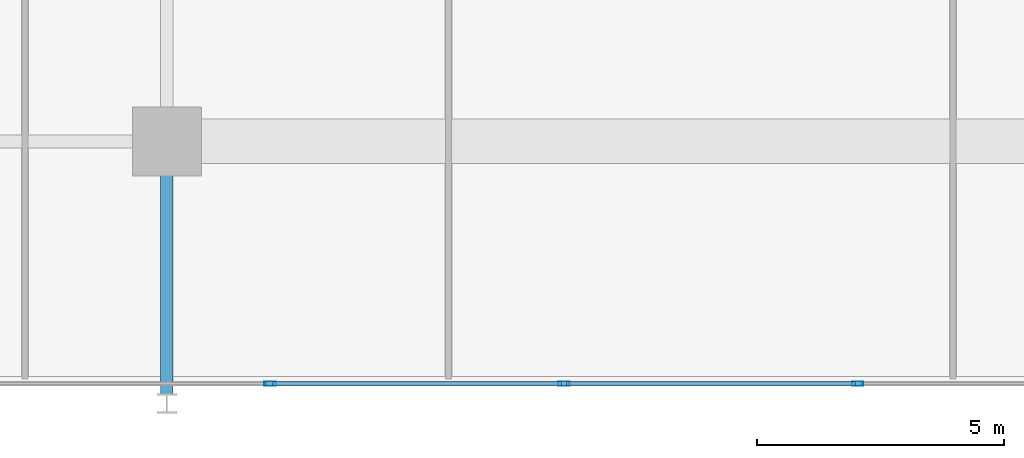
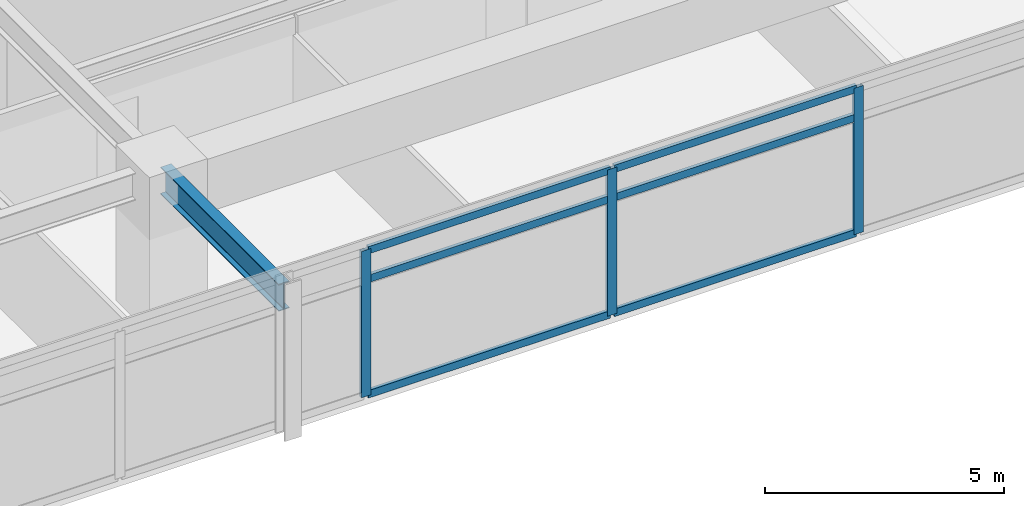
# One storey, part 4 of 21: 9 members, 1 beam, 1 element without a shape of its own.
"""IFC4 building model written with IfcOpenShell, lengths in metres."""

from ifc_helpers import new_model, si_unit, direction, frame, origin, origin_2d, place, context, subcontext, project, spatial, hollow_rectangle, i_section, extrude, material, material_profile, profile_set, type_object, element, aggregate, save


model = new_model("IFC4")

# Units and contexts
model_context = context("Model", 3, precision=1e-05, world=origin(), true_north=direction((0.0, 1.0)))
body_context = subcontext(model_context, "Body", "Model", "MODEL_VIEW")
ifc_project = project(units=[si_unit("LENGTHUNIT", "METRE"), si_unit("AREAUNIT", "SQUARE_METRE"), si_unit("VOLUMEUNIT", "CUBIC_METRE"), si_unit("PLANEANGLEUNIT", "RADIAN"), si_unit("MASSUNIT", "GRAM", prefix="KILO")], contexts=[model_context])

# Site, building, storey
site_placement = place(None, origin())
site = spatial("IfcSite", under=ifc_project, at=site_placement, CompositionType="ELEMENT")
building_placement = place(site_placement, origin())
building = spatial("IfcBuilding", under=site, at=building_placement, Name="Kovane Verandah Tower", CompositionType="ELEMENT")
storey_placement = place(building_placement, frame((0.0, 0.0, 205.199951171875)))
storey = spatial("IfcBuildingStorey", under=building, at=storey_placement, Name="L47", CompositionType="ELEMENT", Elevation=205.199951171875)

# Beam
ifc_material_1 = material(Name="Steel S355", Category="steel")
ifc_material_profile_1 = material_profile(ifc_material_1, i_section(OverallWidth=0.255859375, OverallDepth=0.69287109375, WebThickness=0.014404296875, FlangeThickness=0.023681640625, FilletRadius=0.01513671875, at=origin_2d()), Name="UB686x254x170")
ifc_profile_set_1 = profile_set([ifc_material_profile_1], Name="Steel S355")
beam_type = type_object("IfcBeamType", Name="BM-UB686x170", PredefinedType="BEAM", material=ifc_profile_set_1)
beam_placement = place(storey_placement, frame((29.0, 10.6201171875, 3.41357421875), z_axis=(0.0, -1.0, 0.0), x_axis=(1.0, 0.0, 0.0)))
element("IfcBeam", 1, at=beam_placement, inside=storey, type_object=beam_type, Name="L47 Primary Tower Girder G-VS1", PredefinedType="BEAM", context=body_context, shape_type="SweptSolid", body=[
    extrude(i_section(OverallWidth=0.255859375, OverallDepth=0.69287109375, WebThickness=0.014404296875, FlangeThickness=0.023681640625, FilletRadius=0.01513671875, at=origin_2d()), origin(), (0.0, 0.0, 1.0), 4.940185546875),
])

# Curtain wall, members
ifc_material_2 = material(Name="Champagne Anodised Aluminium Frame with Low-E Clear Laminated Glass", Category="aluminium")
curtain_wall_type = type_object("IfcCurtainWallType", Name="CW-SYS-03-MID", PredefinedType="NOTDEFINED", material=ifc_material_2)
curtain_wall_placement = place(storey_placement, origin())
curtain_wall = element("IfcCurtainWall", 2, at=curtain_wall_placement, inside=storey, type_object=curtain_wall_type, Name="L47 S Unitised Curtain Wall", PredefinedType="NOTDEFINED")
ifc_material_3 = material(Name="Champagne Anodised Aluminium 6063-T6", Category="aluminium")
ifc_material_profile_2 = material_profile(ifc_material_3, hollow_rectangle(XDim=0.0849609375, YDim=0.22998046875, WallThickness=0.00390625, at=origin_2d()), Name="AL85x230x4")
ifc_profile_set_2 = profile_set([ifc_material_profile_2], Name="Champagne Anodised Aluminium 6063-T6")
member_type_1 = type_object("IfcMemberType", Name="CW-MUL-85x230", PredefinedType="MULLION", material=ifc_profile_set_2)
member_1_placement = place(storey_placement, frame((31.085693359375, 5.89990234375, 0.02001953125), z_axis=(0.0, 0.0, 1.0), x_axis=(0.0, -1.0, 0.0)))
member_1 = element("IfcMember", 3, at=member_1_placement, type_object=member_type_1, Name="L47 S Unitised Curtain Wall Mullion 3", PredefinedType="MULLION", context=body_context, shape_type="SweptSolid", body=[
    extrude(hollow_rectangle(XDim=0.0849609375, YDim=0.22998046875, WallThickness=0.00390625, at=origin_2d()), origin(), (0.0, 0.0, 1.0), 3.735107421875),
])
member_2_placement = place(storey_placement, frame((37.028564453125, 5.89990234375, 0.02001953125), z_axis=(0.0, 0.0, 1.0), x_axis=(0.0, -1.0, 0.0)))
member_2 = element("IfcMember", 4, at=member_2_placement, type_object=member_type_1, Name="L47 S Unitised Curtain Wall Mullion 4", PredefinedType="MULLION", context=body_context, shape_type="SweptSolid", body=[
    extrude(hollow_rectangle(XDim=0.0849609375, YDim=0.22998046875, WallThickness=0.00390625, at=origin_2d()), origin(), (0.0, 0.0, 1.0), 3.735107421875),
])
member_3_placement = place(storey_placement, frame((42.971435546875, 5.89990234375, 0.02001953125), z_axis=(0.0, 0.0, 1.0), x_axis=(0.0, -1.0, 0.0)))
member_3 = element("IfcMember", 5, at=member_3_placement, type_object=member_type_1, Name="L47 S Unitised Curtain Wall Mullion 5", PredefinedType="MULLION", context=body_context, shape_type="SweptSolid", body=[
    extrude(hollow_rectangle(XDim=0.0849609375, YDim=0.22998046875, WallThickness=0.00390625, at=origin_2d()), origin(), (0.0, 0.0, 1.0), 3.735107421875),
])
ifc_material_profile_3 = material_profile(ifc_material_3, hollow_rectangle(XDim=0.0849609375, YDim=0.18994140625, WallThickness=0.00390625, at=origin_2d()), Name="AL85x190x4")
ifc_profile_set_3 = profile_set([ifc_material_profile_3], Name="Champagne Anodised Aluminium 6063-T6")
member_type_2 = type_object("IfcMemberType", Name="CW-TRN-85x190", PredefinedType="USERDEFINED", material=ifc_profile_set_3)
member_4_placement = place(storey_placement, frame((31.1357421875, 5.89990234375, 0.050048828125), z_axis=(1.0, 0.0, 0.0), x_axis=(0.0, 1.0, 0.0)))
member_4 = element("IfcMember", 6, at=member_4_placement, type_object=member_type_2, Name="L47 S Unitised Curtain Wall Transom TB Bay 3", ObjectType="TRANSOM", PredefinedType="USERDEFINED", context=body_context, shape_type="SweptSolid", body=[
    extrude(hollow_rectangle(XDim=0.0849609375, YDim=0.18994140625, WallThickness=0.00390625, at=origin_2d()), origin(), (0.0, 0.0, 1.0), 5.8427734375),
])
member_5_placement = place(storey_placement, frame((31.1357421875, 5.89990234375, 2.9951171875), z_axis=(1.0, 0.0, 0.0), x_axis=(0.0, 1.0, 0.0)))
member_5 = element("IfcMember", 7, at=member_5_placement, type_object=member_type_2, Name="L47 S Unitised Curtain Wall Transom TM Bay 3", ObjectType="TRANSOM", PredefinedType="USERDEFINED", context=body_context, shape_type="SweptSolid", body=[
    extrude(hollow_rectangle(XDim=0.0849609375, YDim=0.18994140625, WallThickness=0.00390625, at=origin_2d()), origin(), (0.0, 0.0, 1.0), 5.8427734375),
])
member_6_placement = place(storey_placement, frame((31.1357421875, 5.89990234375, 3.72509765625), z_axis=(1.0, 0.0, 0.0), x_axis=(0.0, 1.0, 0.0)))
member_6 = element("IfcMember", 8, at=member_6_placement, type_object=member_type_2, Name="L47 S Unitised Curtain Wall Transom TT Bay 3", ObjectType="TRANSOM", PredefinedType="USERDEFINED", context=body_context, shape_type="SweptSolid", body=[
    extrude(hollow_rectangle(XDim=0.0849609375, YDim=0.18994140625, WallThickness=0.00390625, at=origin_2d()), origin(), (0.0, 0.0, 1.0), 5.8427734375),
])
member_7_placement = place(storey_placement, frame((37.07861328125, 5.89990234375, 0.050048828125), z_axis=(1.0, 0.0, 0.0), x_axis=(0.0, 1.0, 0.0)))
member_7 = element("IfcMember", 9, at=member_7_placement, type_object=member_type_2, Name="L47 S Unitised Curtain Wall Transom TB Bay 4", ObjectType="TRANSOM", PredefinedType="USERDEFINED", context=body_context, shape_type="SweptSolid", body=[
    extrude(hollow_rectangle(XDim=0.0849609375, YDim=0.18994140625, WallThickness=0.00390625, at=origin_2d()), origin(), (0.0, 0.0, 1.0), 5.8427734375),
])
member_8_placement = place(storey_placement, frame((37.07861328125, 5.89990234375, 2.9951171875), z_axis=(1.0, 0.0, 0.0), x_axis=(0.0, 1.0, 0.0)))
member_8 = element("IfcMember", 10, at=member_8_placement, type_object=member_type_2, Name="L47 S Unitised Curtain Wall Transom TM Bay 4", ObjectType="TRANSOM", PredefinedType="USERDEFINED", context=body_context, shape_type="SweptSolid", body=[
    extrude(hollow_rectangle(XDim=0.0849609375, YDim=0.18994140625, WallThickness=0.00390625, at=origin_2d()), origin(), (0.0, 0.0, 1.0), 5.8427734375),
])
member_9_placement = place(storey_placement, frame((37.07861328125, 5.89990234375, 3.72509765625), z_axis=(1.0, 0.0, 0.0), x_axis=(0.0, 1.0, 0.0)))
member_9 = element("IfcMember", 11, at=member_9_placement, type_object=member_type_2, Name="L47 S Unitised Curtain Wall Transom TT Bay 4", ObjectType="TRANSOM", PredefinedType="USERDEFINED", context=body_context, shape_type="SweptSolid", body=[
    extrude(hollow_rectangle(XDim=0.0849609375, YDim=0.18994140625, WallThickness=0.00390625, at=origin_2d()), origin(), (0.0, 0.0, 1.0), 5.8427734375),
])
aggregate(curtain_wall, [member_1, member_2, member_3, member_4, member_5, member_6, member_7, member_8, member_9])

save(model, "model.ifc")
